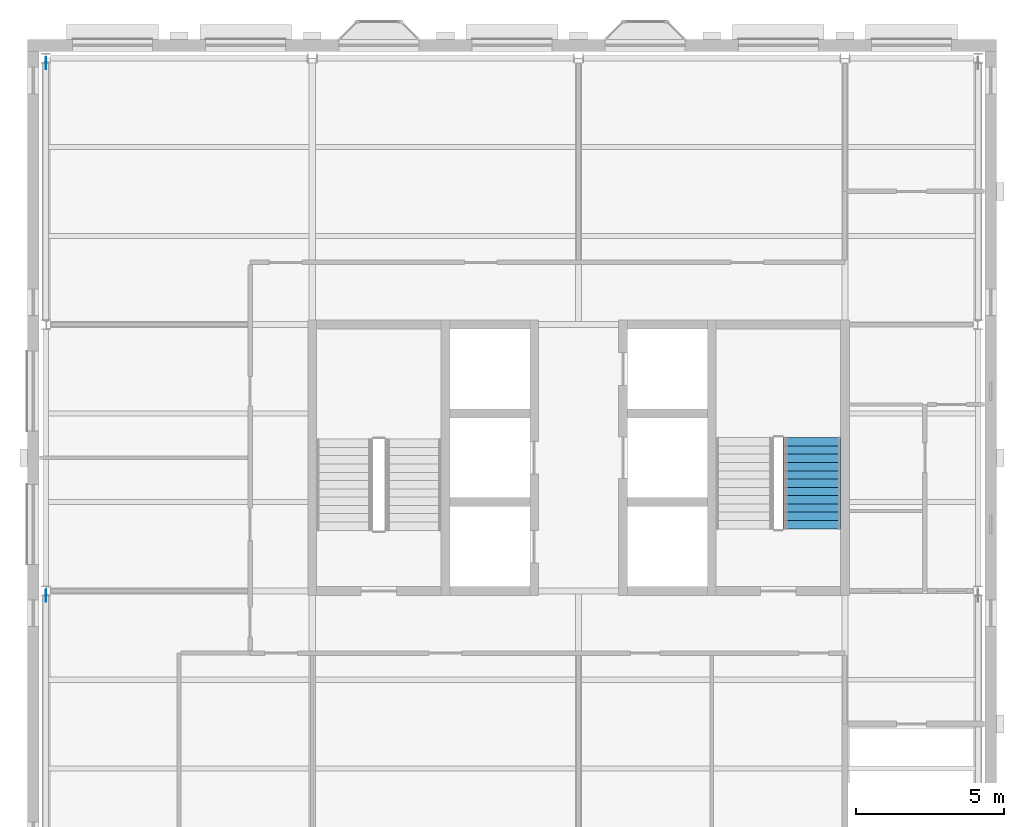
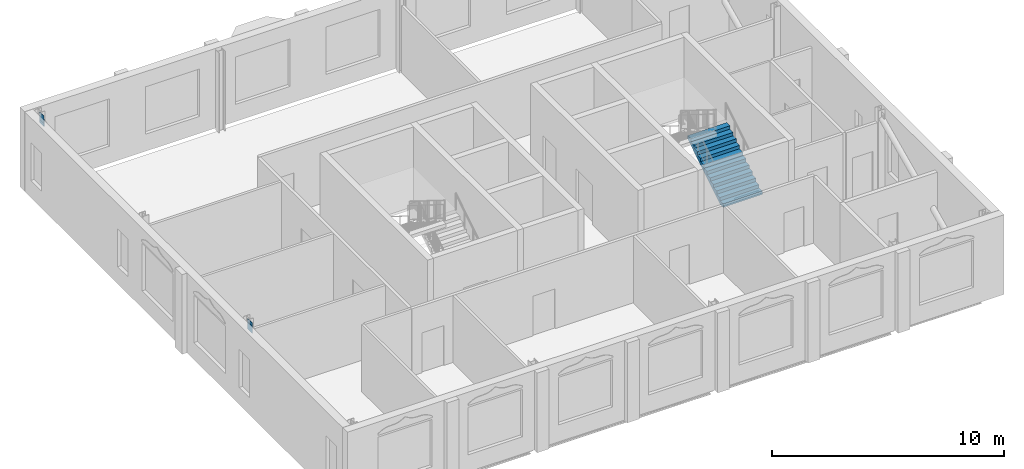
# One storey, part 6 of 9: 4 discrete accessories, 1 stair flight, 1 element without a shape of its own.
"""IFC4 building model written with IfcOpenShell, lengths in metres."""

from ifc_helpers import new_model, si_unit, direction, frame, origin, origin_2d, place, context, subcontext, project, spatial, polyline, rectangle, outline, extrude, material, layer, layer_set, type_object, element, aggregate, save


model = new_model("IFC4")

# Units and contexts
model_context = context("Model", 3, precision=1e-05, world=origin(), true_north=direction((0.0, 1.0)))
body_context = subcontext(model_context, "Body", "Model", "MODEL_VIEW")
ifc_project = project(units=[si_unit("LENGTHUNIT", "METRE"), si_unit("AREAUNIT", "SQUARE_METRE"), si_unit("VOLUMEUNIT", "CUBIC_METRE"), si_unit("PLANEANGLEUNIT", "RADIAN"), si_unit("MASSUNIT", "GRAM", prefix="KILO")], contexts=[model_context])

# Site, building, storey
site_placement = place(None, origin())
site = spatial("IfcSite", under=ifc_project, at=site_placement, CompositionType="ELEMENT")
building_placement = place(site_placement, origin())
building = spatial("IfcBuilding", under=site, at=building_placement, Name="Hortulan Conservatory and Botanical Research Centre", CompositionType="ELEMENT")
storey_placement = place(building_placement, frame((0.0, 0.0, 40.199951171875)))
storey = spatial("IfcBuildingStorey", under=building, at=storey_placement, Name="L09", CompositionType="ELEMENT", Elevation=40.199951171875)

# Stair, stair flight
ifc_material_1 = material(Name="Concrete N40 (40 MPa, AS 3600)", Category="concrete")
stair_type = type_object("IfcStairType", Name="Concrete Escape Stair 1950", PredefinedType="HALF_TURN_STAIR", material=ifc_material_1)
stair_placement = place(storey_placement, origin())
stair = element("IfcStair", 1, at=stair_placement, inside=storey, type_object=stair_type, Name="Stair T2 L09", PredefinedType="HALF_TURN_STAIR")
ifc_layer = layer(ifc_material_1, 0.14990234375)
ifc_layer_set = layer_set([ifc_layer], Name="Stair Flight 1950 wide, riser 175")
stair_flight_type = type_object("IfcStairFlightType", Name="Stair Flight 1950 wide, riser 175", PredefinedType="STRAIGHT", material=ifc_layer_set)
stair_flight_placement = place(storey_placement, frame((25.875, 11.10009765625, 0.0), z_axis=(0.0, 0.0, 1.0), x_axis=(0.0, 1.0, 0.0)))
stair_flight = element("IfcStairFlight", 2, at=stair_flight_placement, type_object=stair_flight_type, Name="Stair T2 L09 flight 1", NumberOfRisers=12, NumberOfTreads=11, PredefinedType="STRAIGHT", RiserHeight=0.175, TreadLength=0.28, context=body_context, shape_type="SweptSolid", body=[
    extrude(outline(polyline([(0.0, 0.0), (0.0, 0.175048828125), (0.280029296875, 0.175048828125), (0.280029296875, 0.35009765625), (0.56005859375, 0.35009765625), (0.56005859375, 0.52490234375), (0.840087890625, 0.52490234375), (0.840087890625, 0.699951171875), (1.1201171875, 0.699951171875), (1.1201171875, 0.875), (1.39990234375, 0.875), (1.39990234375, 1.050048828125), (1.679931640625, 1.050048828125), (1.679931640625, 1.22509765625), (1.9599609375, 1.22509765625), (1.9599609375, 1.39990234375), (2.239990234375, 1.39990234375), (2.239990234375, 1.574951171875), (2.52001953125, 1.574951171875), (2.52001953125, 1.75), (2.800048828125, 1.75), (2.800048828125, 1.925048828125), (3.080078125, 1.925048828125), (3.080078125, 2.10009765625), (3.080078125, 1.748291015625), (0.28271484375, 0.0), (0.0, 0.0)])), frame((0.0, 0.97509765625, 0.0), z_axis=(0.0, -1.0, 0.0), x_axis=(1.0, 0.0, 0.0)), (0.0, 0.0, 1.0), 1.949951171875),
])
aggregate(stair, [stair_flight])

# Discrete accessories
ifc_material_2 = material(Name="Steel Grade 300 plate (AS/NZS 3678, 280 MPa minimum yield)", Category="steel")
discrete_accessory_type = type_object("IfcDiscreteAccessoryType", Name="End Plate 400x16", PredefinedType="BRACKET", material=ifc_material_2)
for number, where, z_axis, x_axis, name in (
    (3, (0.0, 8.83642578125, 3.563720703125), (0.0, 0.0, 1.0), (0.0, -1.0, 0.0), "Brace end plate"),
    (4, (0.0, 8.839599609375, 3.715087890625), (0.0, 0.0, 1.0), (0.0, -1.0, 0.0), "Brace end plate"),
    (5, (0.0, 26.83642578125, 3.563720703125), (0.0, 0.0, 1.0), (0.0, -1.0, 0.0), "Brace end plate"),
    (6, (0.0, 26.839599609375, 3.715087890625), (0.0, 0.0, 1.0), (0.0, -1.0, 0.0), "Brace end plate"),
):
    element("IfcDiscreteAccessory", number, at=place(storey_placement, frame(where, z_axis=z_axis, x_axis=x_axis)), inside=storey, type_object=discrete_accessory_type, Name=name, PredefinedType="BRACKET", context=body_context, shape_type="SweptSolid", body=[
        extrude(rectangle(XDim=0.39990234375, YDim=0.01611328125, at=origin_2d()), origin(), (0.0, 0.0, 1.0), 0.39990234375),
    ])

save(model, "model.ifc")
